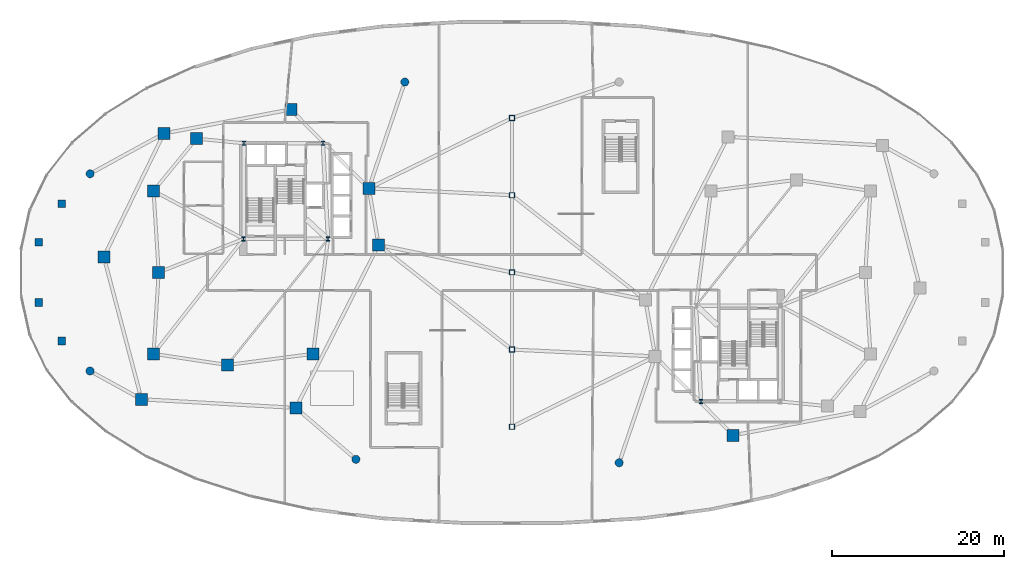
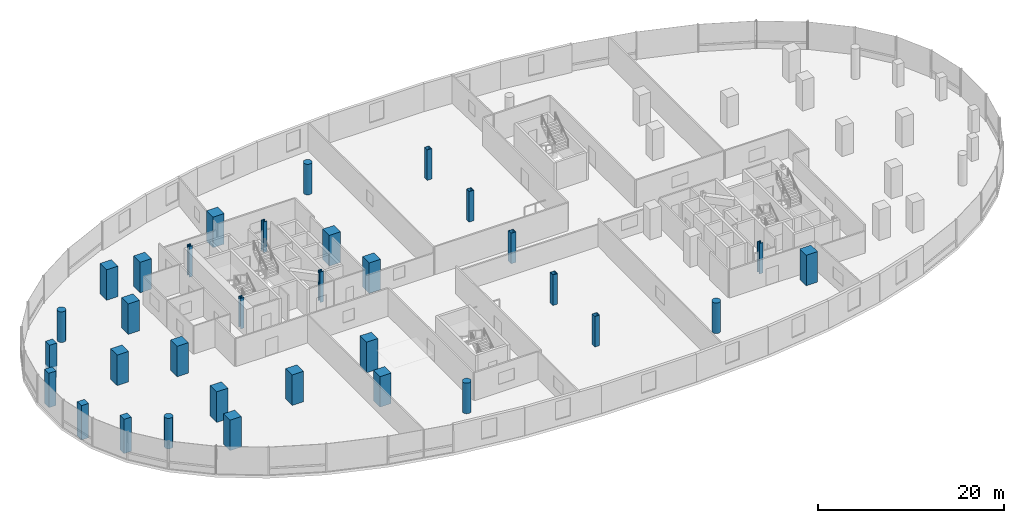
# One storey, part 1 of 18: 33 columns.
"""IFC4 building model written with IfcOpenShell, lengths in metres."""

from ifc_helpers import new_model, si_unit, direction, frame, origin, origin_2d, place, context, subcontext, project, spatial, rectangle, hollow_rectangle, circle, i_section, extrude, material, material_profile, profile_set, type_object, element, save


model = new_model("IFC4")

# Units and contexts
model_context = context("Model", 3, precision=1e-05, world=origin(), true_north=direction((0.0, 1.0)))
body_context = subcontext(model_context, "Body", "Model", "MODEL_VIEW")
ifc_project = project(units=[si_unit("LENGTHUNIT", "METRE"), si_unit("AREAUNIT", "SQUARE_METRE"), si_unit("VOLUMEUNIT", "CUBIC_METRE"), si_unit("PLANEANGLEUNIT", "RADIAN"), si_unit("MASSUNIT", "GRAM", prefix="KILO"), si_unit("THERMODYNAMICTEMPERATUREUNIT", "KELVIN"), si_unit("POWERUNIT", "WATT")], contexts=[model_context])

# Site, building, storey
site_placement = place(None, origin())
site = spatial("IfcSite", under=ifc_project, at=site_placement, CompositionType="ELEMENT")
building_placement = place(site_placement, origin())
building = spatial("IfcBuilding", under=site, at=building_placement, Name="Cundina Bronze Exchange", CompositionType="ELEMENT")
storey_placement = place(building_placement, frame((0.0, 0.0, 12.0)))
storey = spatial("IfcBuildingStorey", under=building, at=storey_placement, Name="L02", CompositionType="ELEMENT", Elevation=12.0)

# Columns
ifc_material_1 = material(Name="Concrete C60/75", Category="concrete")
ifc_material_profile_1 = material_profile(ifc_material_1, rectangle(XDim=1.39990234375, YDim=1.39990234375, at=origin_2d()), Name="RC1400X1400", Category="concrete")
ifc_profile_set_1 = profile_set([ifc_material_profile_1], Name="Concrete C60/75")
column_type_1 = type_object("IfcColumnType", Name="COL-MEGA-1400", PredefinedType="COLUMN", material=ifc_profile_set_1)
for number, where, z_axis, x_axis, name in (
    (1, (-41.199951171875, 0.0, 0.0), (0.0, 0.0, 1.0), (1.0, 0.0, 0.0), "L02 W Inner Ring Column 1"),
    (2, (-41.800048828125, 9.5, 0.0), (0.0, 0.0, 1.0), (1.0, 0.0, 0.0), "L02 W Inner Ring Column 2"),
    (3, (-36.800048828125, 15.60009765625, 0.0), (0.0, 0.0, 1.0), (1.0, 0.0, 0.0), "L02 W Inner Ring Column 3"),
    (4, (-41.800048828125, -9.5, 0.0), (0.0, 0.0, 1.0), (1.0, 0.0, 0.0), "L02 W Inner Ring Column 4"),
    (5, (-33.199951171875, -10.800048828125, 0.0), (0.0, 0.0, 1.0), (1.0, 0.0, 0.0), "L02 W Inner Ring Column 5"),
    (6, (-23.199951171875, -9.5, 0.0), (0.0, 0.0, 1.0), (1.0, 0.0, 0.0), "L02 W Inner Ring Column 6"),
    (7, (-15.550048828125, 3.199951171875, 0.0), (0.0, 0.0, 1.0), (1.0, 0.0, 0.0), "L02 W Podium Mega-Column 00"),
    (8, (-16.699951171875, 9.800048828125, 0.0), (0.0, 0.0, 1.0), (1.0, 0.0, 0.0), "L02 W Podium Mega-Column 02"),
    (9, (-25.800048828125, 19.0, 0.0), (0.0, 0.0, 1.0), (1.0, 0.0, 0.0), "L02 W Podium Mega-Column 04"),
    (10, (-40.60009765625, 16.199951171875, 0.0), (0.0, 0.0, 1.0), (1.0, 0.0, 0.0), "L02 W Podium Mega-Column 06"),
    (11, (-47.60009765625, 1.800048828125, 0.0), (0.0, 0.0, 1.0), (1.0, 0.0, 0.0), "L02 W Podium Mega-Column 08"),
    (12, (-43.199951171875, -14.800048828125, 0.0), (0.0, 0.0, 1.0), (1.0, 0.0, 0.0), "L02 W Podium Mega-Column 10"),
    (13, (-25.199951171875, -15.800048828125, 0.0), (0.0, 0.0, 1.0), (1.0, 0.0, 0.0), "L02 W Podium Mega-Column 12"),
    (14, (25.800048828125, -19.0, 0.0), (0.0, 0.0, 1.0), (1.0, 0.0, 0.0), "L02 E Podium Mega-Column 04"),
):
    element("IfcColumn", number, at=place(storey_placement, frame(where, z_axis=z_axis, x_axis=x_axis)), inside=storey, type_object=column_type_1, Name=name, PredefinedType="COLUMN", context=body_context, shape_type="SweptSolid", body=[
        extrude(rectangle(XDim=1.39990234375, YDim=1.39990234375, at=origin_2d()), origin(), (0.0, 0.0, 1.0), 4.0),
    ])
ifc_material_2 = material(Name="Concrete C50/60", Category="concrete")
ifc_material_profile_2 = material_profile(ifc_material_2, circle(Radius=0.47509765625, at=origin_2d()), Name="RC950D", Category="concrete")
ifc_profile_set_2 = profile_set([ifc_material_profile_2], Name="Concrete C50/60")
column_type_2 = type_object("IfcColumnType", Name="COL-PIL-950D", PredefinedType="PILASTER", material=ifc_profile_set_2)
for number, where, z_axis, x_axis, name in (
    (15, (-49.199951171875, 11.5, 0.0), (0.0, 0.0, 1.0), (1.0, 0.0, 0.0), "L02 Podium Colonnade Pilaster 01"),
    (16, (-49.199951171875, -11.5, 0.0), (0.0, 0.0, 1.0), (1.0, 0.0, 0.0), "L02 Podium Colonnade Pilaster 02"),
    (17, (-12.5, 22.199951171875, 0.0), (0.0, 0.0, 1.0), (1.0, 0.0, 0.0), "L02 Podium Colonnade Pilaster 03"),
    (18, (12.5, -22.199951171875, 0.0), (0.0, 0.0, 1.0), (1.0, 0.0, 0.0), "L02 Podium Colonnade Pilaster 05"),
    (19, (-18.199951171875, -21.800048828125, 0.0), (0.0, 0.0, 1.0), (1.0, 0.0, 0.0), "L02 Podium Colonnade Pilaster 06"),
):
    element("IfcColumn", number, at=place(storey_placement, frame(where, z_axis=z_axis, x_axis=x_axis)), inside=storey, type_object=column_type_2, Name=name, PredefinedType="PILASTER", context=body_context, shape_type="SweptSolid", body=[
        extrude(circle(Radius=0.47509765625, at=origin_2d()), origin(), (0.0, 0.0, 1.0), 4.0),
    ])
ifc_material_3 = material(Name="Steel ASTM A501 Grade B", Category="steel")
ifc_material_profile_3 = material_profile(ifc_material_3, hollow_rectangle(XDim=0.60009765625, YDim=0.60009765625, WallThickness=0.031982421875, at=origin_2d()), Name="HSS600X600X32", Category="steel")
ifc_profile_set_3 = profile_set([ifc_material_profile_3], Name="Steel ASTM A501 Grade B")
column_type_3 = type_object("IfcColumnType", Name="COL-STL-HSS6", PredefinedType="COLUMN", material=ifc_profile_set_3)
for number, where, z_axis, x_axis, name in (
    (20, (0.0, -18.0, 0.0), (0.0, 0.0, 1.0), (1.0, 0.0, 0.0), "L02 Concourse Spine Column 01"),
    (21, (0.0, -9.0, 0.0), (0.0, 0.0, 1.0), (1.0, 0.0, 0.0), "L02 Concourse Spine Column 02"),
    (22, (0.0, 0.0, 0.0), (0.0, 0.0, 1.0), (1.0, 0.0, 0.0), "L02 Concourse Spine Column 03"),
    (23, (0.0, 9.0, 0.0), (0.0, 0.0, 1.0), (1.0, 0.0, 0.0), "L02 Concourse Spine Column 04"),
    (24, (0.0, 18.0, 0.0), (0.0, 0.0, 1.0), (1.0, 0.0, 0.0), "L02 Concourse Spine Column 05"),
):
    element("IfcColumn", number, at=place(storey_placement, frame(where, z_axis=z_axis, x_axis=x_axis)), inside=storey, type_object=column_type_3, Name=name, PredefinedType="COLUMN", context=body_context, shape_type="SweptSolid", body=[
        extrude(hollow_rectangle(XDim=0.60009765625, YDim=0.60009765625, WallThickness=0.031982421875, at=origin_2d()), origin(), (0.0, 0.0, 1.0), 4.0),
    ])
ifc_material_4 = material(Name="Steel ASTM A992 Grade 50", Category="steel")
ifc_material_profile_4 = material_profile(ifc_material_4, i_section(OverallWidth=0.431884765625, OverallDepth=0.498046875, WebThickness=0.0556640625, FlangeThickness=0.0888671875, FilletRadius=0.01806640625, at=origin_2d()), Name="W14X500", Category="steel")
ifc_profile_set_4 = profile_set([ifc_material_profile_4], Name="Steel ASTM A992 Grade 50")
column_type_4 = type_object("IfcColumnType", Name="COL-STL-W14A", PredefinedType="COLUMN", material=ifc_profile_set_4)
for number, where, z_axis, x_axis, name in (
    (25, (-31.300048828125, 3.89990234375, 0.0), (0.0, 0.0, 1.0), (1.0, 0.0, 0.0), "L02 Core Anchor Column W1"),
    (26, (-21.449951171875, 3.89990234375, 0.0), (0.0, 0.0, 1.0), (1.0, 0.0, 0.0), "L02 Core Anchor Column W2"),
    (27, (-22.050048828125, 15.050048828125, 0.0), (0.0, 0.0, 1.0), (1.0, 0.0, 0.0), "L02 Core Anchor Column W3"),
    (28, (-31.25, 15.050048828125, 0.0), (0.0, 0.0, 1.0), (1.0, 0.0, 0.0), "L02 Core Anchor Column W4"),
    (29, (22.050048828125, -15.050048828125, 0.0), (0.0, 0.0, 1.0), (1.0, 0.0, 0.0), "L02 Core Anchor Column E3"),
):
    element("IfcColumn", number, at=place(storey_placement, frame(where, z_axis=z_axis, x_axis=x_axis)), inside=storey, type_object=column_type_4, Name=name, PredefinedType="COLUMN", context=body_context, shape_type="SweptSolid", body=[
        extrude(i_section(OverallWidth=0.431884765625, OverallDepth=0.498046875, WebThickness=0.0556640625, FlangeThickness=0.0888671875, FilletRadius=0.01806640625, at=origin_2d()), origin(), (0.0, 0.0, 1.0), 4.0),
    ])
ifc_material_profile_5 = material_profile(ifc_material_2, rectangle(XDim=0.89990234375, YDim=0.89990234375, at=origin_2d()), Name="RC900X900", Category="concrete")
ifc_profile_set_5 = profile_set([ifc_material_profile_5], Name="Concrete C50/60")
column_type_5 = type_object("IfcColumnType", Name="COL-Z4-900", PredefinedType="COLUMN", material=ifc_profile_set_5)
for number, where, z_axis, x_axis, name in (
    (30, (-52.5, -8.0, -1.5), (0.0, 0.0, 1.0), (1.0, 0.0, 0.0), "L02 Podium Crescent Wing Column W1"),
    (31, (-52.5, 8.0, -1.5), (0.0, 0.0, 1.0), (1.0, 0.0, 0.0), "L02 Podium Crescent Wing Column W2"),
    (32, (-55.199951171875, -3.5, -1.5), (0.0, 0.0, 1.0), (1.0, 0.0, 0.0), "L02 Podium Crescent Wing Column W3"),
    (33, (-55.199951171875, 3.5, -1.5), (0.0, 0.0, 1.0), (1.0, 0.0, 0.0), "L02 Podium Crescent Wing Column W4"),
):
    element("IfcColumn", number, at=place(storey_placement, frame(where, z_axis=z_axis, x_axis=x_axis)), inside=storey, type_object=column_type_5, Name=name, PredefinedType="COLUMN", context=body_context, shape_type="SweptSolid", body=[
        extrude(rectangle(XDim=0.89990234375, YDim=0.89990234375, at=origin_2d()), origin(), (0.0, 0.0, 1.0), 4.5),
    ])

save(model, "model.ifc")
